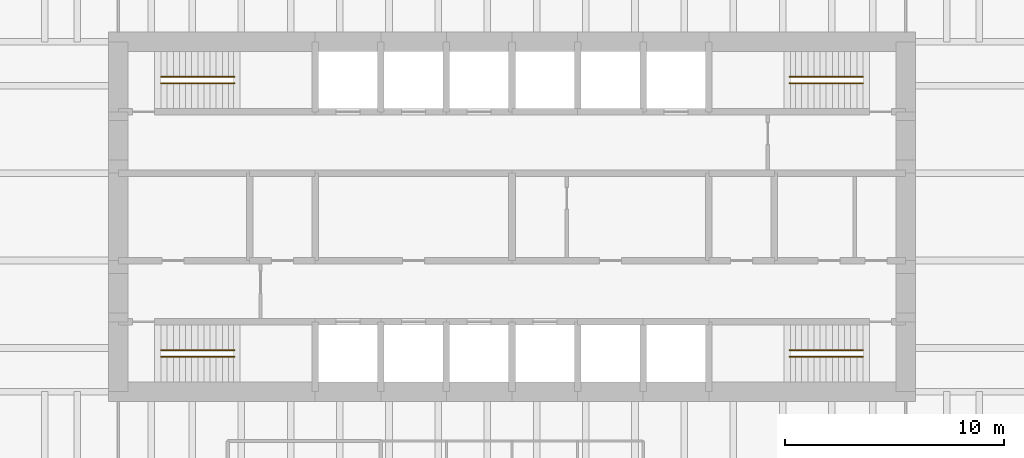
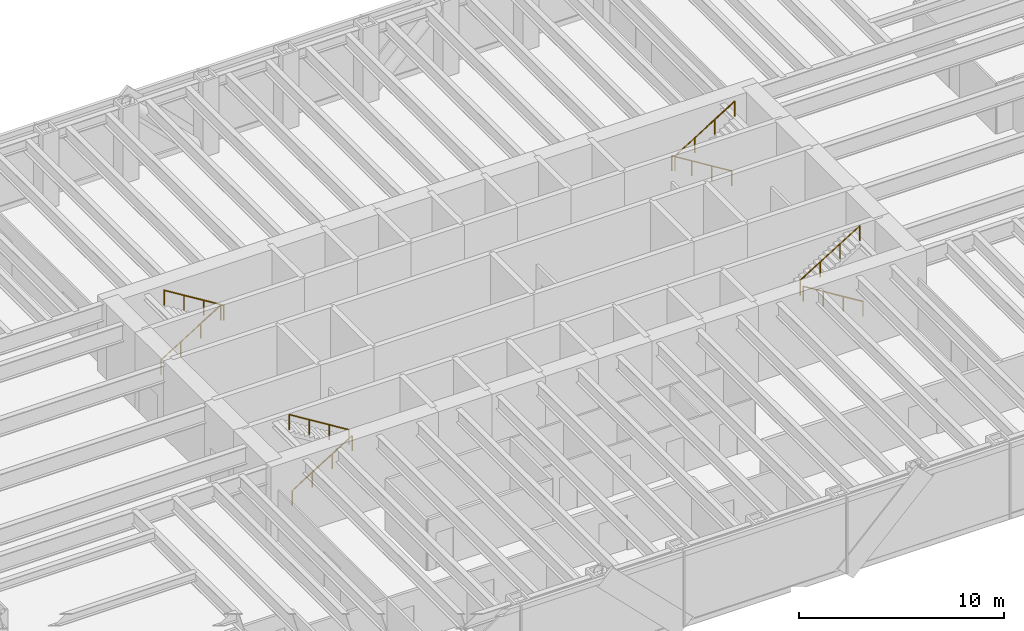
# One storey, part 13 of 13: 8 railings.
"""IFC4 building model written with IfcOpenShell, lengths in metres."""

from ifc_helpers import new_model, si_unit, direction, frame, origin, origin_2d, place, context, subcontext, project, spatial, circle, extrude, material, type_object, element, save


model = new_model("IFC4")

# Units and contexts
model_context = context("Model", 3, precision=1e-05, world=origin(), true_north=direction((0.0, 1.0)))
body_context = subcontext(model_context, "Body", "Model", "MODEL_VIEW")
ifc_project = project(units=[si_unit("LENGTHUNIT", "METRE"), si_unit("AREAUNIT", "SQUARE_METRE"), si_unit("VOLUMEUNIT", "CUBIC_METRE"), si_unit("PLANEANGLEUNIT", "RADIAN"), si_unit("MASSUNIT", "GRAM", prefix="KILO")], contexts=[model_context])

# Site, building, storey
site_placement = place(None, origin())
site = spatial("IfcSite", under=ifc_project, at=site_placement, CompositionType="ELEMENT")
building_placement = place(site_placement, origin())
building = spatial("IfcBuilding", under=site, at=building_placement, Name="Rheinbord Bourse Tower", CompositionType="ELEMENT")
storey_placement = place(building_placement, frame((0.0, 0.0, 36.5)))
storey = spatial("IfcBuildingStorey", under=building, at=storey_placement, Name="L07", CompositionType="ELEMENT", Elevation=36.5)

# Railings
ifc_material = material(Name="Steel handrail", Category="steel")
railing_type = type_object("IfcRailingType", Name="HANDRAIL 900", PredefinedType="HANDRAIL", material=ifc_material)
railing_1_placement = place(storey_placement, frame((19.949951171875, 17.60009765625, 0.173095703125)))
element("IfcRailing", 1, at=railing_1_placement, inside=storey, type_object=railing_type, Name="Handrail", PredefinedType="HANDRAIL", context=body_context, shape_type="SweptSolid", body=[
    extrude(circle(Radius=0.02392578125, at=origin_2d()), frame((0.0, 0.0, 0.8759765625), z_axis=(0.850623216509, 0.0, 0.525775754039), x_axis=(0.0, 1.0, 0.0)), (0.0, 0.0, 1.0), 3.9501953125),
    extrude(circle(Radius=0.02099609375, at=origin_2d()), origin(), (0.0, 0.0, 1.0), 0.851806640625),
    extrude(circle(Radius=0.02099609375, at=origin_2d()), frame((1.1201171875, 0.0, 0.6923828125)), (0.0, 0.0, 1.0), 0.851806640625),
    extrude(circle(Radius=0.02099609375, at=origin_2d()), frame((2.239990234375, 0.0, 1.384521484375)), (0.0, 0.0, 1.0), 0.851806640625),
    extrude(circle(Radius=0.02099609375, at=origin_2d()), frame((3.360107421875, 0.0, 2.076904296875)), (0.0, 0.0, 1.0), 0.851806640625),
])
railing_2_placement = place(storey_placement, frame((23.31005859375, 17.89990234375, 2.423095703125)))
element("IfcRailing", 2, at=railing_2_placement, inside=storey, type_object=railing_type, Name="Handrail", PredefinedType="HANDRAIL", context=body_context, shape_type="SweptSolid", body=[
    extrude(circle(Radius=0.02392578125, at=origin_2d()), frame((0.0, 0.0, 0.8759765625), z_axis=(-0.850623216509, 0.0, 0.525775754039), x_axis=(0.0, -1.0, 0.0)), (0.0, 0.0, 1.0), 3.9501953125),
    extrude(circle(Radius=0.02099609375, at=origin_2d()), origin(), (0.0, 0.0, 1.0), 0.851806640625),
    extrude(circle(Radius=0.02099609375, at=origin_2d()), frame((-1.1201171875, 0.0, 0.6923828125)), (0.0, 0.0, 1.0), 0.851806640625),
    extrude(circle(Radius=0.02099609375, at=origin_2d()), frame((-2.239990234375, 0.0, 1.384521484375)), (0.0, 0.0, 1.0), 0.851806640625),
    extrude(circle(Radius=0.02099609375, at=origin_2d()), frame((-3.360107421875, 0.0, 2.076904296875)), (0.0, 0.0, 1.0), 0.851806640625),
])
railing_3_placement = place(storey_placement, frame((19.949951171875, 30.39990234375, 0.173095703125)))
element("IfcRailing", 3, at=railing_3_placement, inside=storey, type_object=railing_type, Name="Handrail", PredefinedType="HANDRAIL", context=body_context, shape_type="SweptSolid", body=[
    extrude(circle(Radius=0.02392578125, at=origin_2d()), frame((0.0, 0.0, 0.8759765625), z_axis=(0.850623216509, 0.0, 0.525775754039), x_axis=(0.0, 1.0, 0.0)), (0.0, 0.0, 1.0), 3.9501953125),
    extrude(circle(Radius=0.02099609375, at=origin_2d()), origin(), (0.0, 0.0, 1.0), 0.851806640625),
    extrude(circle(Radius=0.02099609375, at=origin_2d()), frame((1.1201171875, 0.0, 0.6923828125)), (0.0, 0.0, 1.0), 0.851806640625),
    extrude(circle(Radius=0.02099609375, at=origin_2d()), frame((2.239990234375, 0.0, 1.384521484375)), (0.0, 0.0, 1.0), 0.851806640625),
    extrude(circle(Radius=0.02099609375, at=origin_2d()), frame((3.360107421875, 0.0, 2.076904296875)), (0.0, 0.0, 1.0), 0.851806640625),
])
for number, where, name in (
    (4, (23.31005859375, 30.10009765625, 2.423095703125), "Handrail"),
    (5, (52.050048828125, 17.60009765625, 0.173095703125), "Handrail"),
):
    element("IfcRailing", number, at=place(storey_placement, frame(where)), inside=storey, type_object=railing_type, Name=name, PredefinedType="HANDRAIL", context=body_context, shape_type="SweptSolid", body=[
        extrude(circle(Radius=0.02392578125, at=origin_2d()), frame((0.0, 0.0, 0.8759765625), z_axis=(-0.850623216509, 0.0, 0.525775754039), x_axis=(0.0, -1.0, 0.0)), (0.0, 0.0, 1.0), 3.9501953125),
        extrude(circle(Radius=0.02099609375, at=origin_2d()), origin(), (0.0, 0.0, 1.0), 0.851806640625),
        extrude(circle(Radius=0.02099609375, at=origin_2d()), frame((-1.1201171875, 0.0, 0.6923828125)), (0.0, 0.0, 1.0), 0.851806640625),
        extrude(circle(Radius=0.02099609375, at=origin_2d()), frame((-2.239990234375, 0.0, 1.384521484375)), (0.0, 0.0, 1.0), 0.851806640625),
        extrude(circle(Radius=0.02099609375, at=origin_2d()), frame((-3.360107421875, 0.0, 2.076904296875)), (0.0, 0.0, 1.0), 0.851806640625),
    ])
railing_4_placement = place(storey_placement, frame((48.68994140625, 17.89990234375, 2.423095703125)))
element("IfcRailing", 6, at=railing_4_placement, inside=storey, type_object=railing_type, Name="Handrail", PredefinedType="HANDRAIL", context=body_context, shape_type="SweptSolid", body=[
    extrude(circle(Radius=0.02392578125, at=origin_2d()), frame((0.0, 0.0, 0.8759765625), z_axis=(0.850623216509, 0.0, 0.525775754039), x_axis=(0.0, 1.0, 0.0)), (0.0, 0.0, 1.0), 3.9501953125),
    extrude(circle(Radius=0.02099609375, at=origin_2d()), origin(), (0.0, 0.0, 1.0), 0.851806640625),
    extrude(circle(Radius=0.02099609375, at=origin_2d()), frame((1.1201171875, 0.0, 0.6923828125)), (0.0, 0.0, 1.0), 0.851806640625),
    extrude(circle(Radius=0.02099609375, at=origin_2d()), frame((2.239990234375, 0.0, 1.384521484375)), (0.0, 0.0, 1.0), 0.851806640625),
    extrude(circle(Radius=0.02099609375, at=origin_2d()), frame((3.360107421875, 0.0, 2.076904296875)), (0.0, 0.0, 1.0), 0.851806640625),
])
railing_5_placement = place(storey_placement, frame((52.050048828125, 30.39990234375, 0.173095703125)))
element("IfcRailing", 7, at=railing_5_placement, inside=storey, type_object=railing_type, Name="Handrail", PredefinedType="HANDRAIL", context=body_context, shape_type="SweptSolid", body=[
    extrude(circle(Radius=0.02392578125, at=origin_2d()), frame((0.0, 0.0, 0.8759765625), z_axis=(-0.850623216509, 0.0, 0.525775754039), x_axis=(0.0, -1.0, 0.0)), (0.0, 0.0, 1.0), 3.9501953125),
    extrude(circle(Radius=0.02099609375, at=origin_2d()), origin(), (0.0, 0.0, 1.0), 0.851806640625),
    extrude(circle(Radius=0.02099609375, at=origin_2d()), frame((-1.1201171875, 0.0, 0.6923828125)), (0.0, 0.0, 1.0), 0.851806640625),
    extrude(circle(Radius=0.02099609375, at=origin_2d()), frame((-2.239990234375, 0.0, 1.384521484375)), (0.0, 0.0, 1.0), 0.851806640625),
    extrude(circle(Radius=0.02099609375, at=origin_2d()), frame((-3.360107421875, 0.0, 2.076904296875)), (0.0, 0.0, 1.0), 0.851806640625),
])
railing_6_placement = place(storey_placement, frame((48.68994140625, 30.10009765625, 2.423095703125)))
element("IfcRailing", 8, at=railing_6_placement, inside=storey, type_object=railing_type, Name="Handrail", PredefinedType="HANDRAIL", context=body_context, shape_type="SweptSolid", body=[
    extrude(circle(Radius=0.02392578125, at=origin_2d()), frame((0.0, 0.0, 0.8759765625), z_axis=(0.850623216509, 0.0, 0.525775754039), x_axis=(0.0, 1.0, 0.0)), (0.0, 0.0, 1.0), 3.9501953125),
    extrude(circle(Radius=0.02099609375, at=origin_2d()), origin(), (0.0, 0.0, 1.0), 0.851806640625),
    extrude(circle(Radius=0.02099609375, at=origin_2d()), frame((1.1201171875, 0.0, 0.6923828125)), (0.0, 0.0, 1.0), 0.851806640625),
    extrude(circle(Radius=0.02099609375, at=origin_2d()), frame((2.239990234375, 0.0, 1.384521484375)), (0.0, 0.0, 1.0), 0.851806640625),
    extrude(circle(Radius=0.02099609375, at=origin_2d()), frame((3.360107421875, 0.0, 2.076904296875)), (0.0, 0.0, 1.0), 0.851806640625),
])

save(model, "model.ifc")
